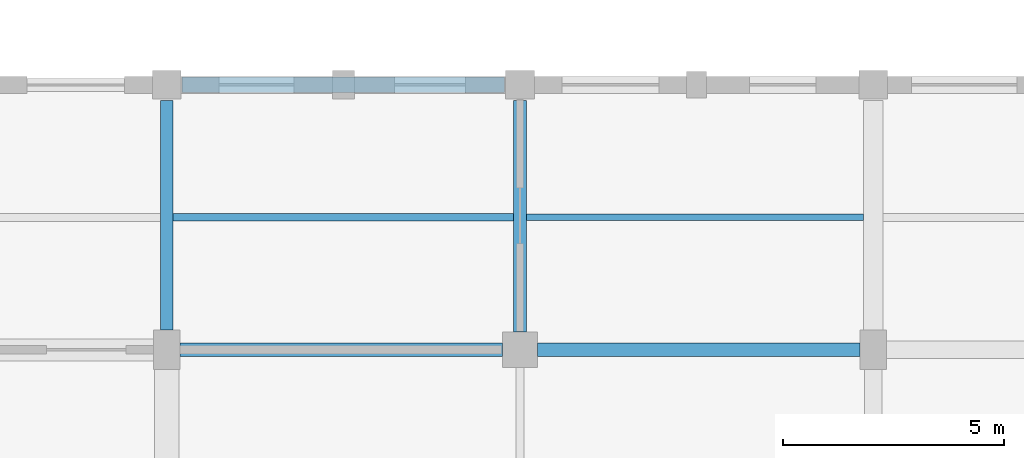
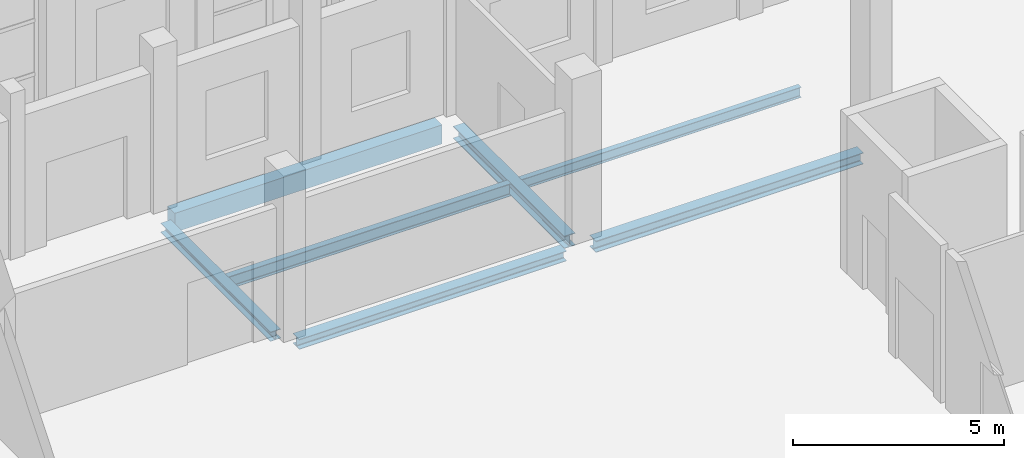
# One storey, part 91 of 156: 7 beams.
"""IFC4 building model written with IfcOpenShell, lengths in metres."""

from ifc_helpers import new_model, si_unit, direction, frame, origin, origin_2d, place, context, subcontext, project, spatial, rectangle, i_section, extrude, material, material_profile, profile_set, type_object, element, save


model = new_model("IFC4")

# Units and contexts
model_context = context("Model", 3, precision=1e-05, world=origin(), true_north=direction((0.0, 1.0)))
body_context = subcontext(model_context, "Body", "Model", "MODEL_VIEW")
ifc_project = project(units=[si_unit("LENGTHUNIT", "METRE"), si_unit("AREAUNIT", "SQUARE_METRE"), si_unit("VOLUMEUNIT", "CUBIC_METRE"), si_unit("PLANEANGLEUNIT", "RADIAN"), si_unit("MASSUNIT", "GRAM", prefix="KILO")], contexts=[model_context])

# Site, building, storey
site_placement = place(None, origin())
site = spatial("IfcSite", under=ifc_project, at=site_placement, CompositionType="ELEMENT")
building_placement = place(site_placement, origin())
building = spatial("IfcBuilding", under=site, at=building_placement, Name="Luwemba Playhouse", CompositionType="ELEMENT")
storey_placement = place(building_placement, origin())
storey = spatial("IfcBuildingStorey", under=building, at=storey_placement, Name="L00", CompositionType="ELEMENT", Elevation=0.0)

# Beams
ifc_material_1 = material(Name="Steel S355", Category="steel")
ifc_material_profile_1 = material_profile(ifc_material_1, i_section(OverallWidth=0.280029296875, OverallDepth=0.27001953125, WebThickness=0.008056640625, FlangeThickness=0.012939453125, FilletRadius=0.02392578125, at=origin_2d()))
ifc_profile_set_1 = profile_set([ifc_material_profile_1], Name="Steel S355")
beam_type_1 = type_object("IfcBeamType", Name="BM-SB02", PredefinedType="BEAM", material=ifc_profile_set_1)
beam_1_placement = place(storey_placement, frame((148.0, 84.449951171875, -0.43505859375), z_axis=(0.0, 1.0, 0.0), x_axis=(-1.0, 0.0, 0.0)))
element("IfcBeam", 1, at=beam_1_placement, inside=storey, type_object=beam_type_1, Name="L00 transverse girder 0140", PredefinedType="BEAM", context=body_context, shape_type="SweptSolid", body=[
    extrude(i_section(OverallWidth=0.280029296875, OverallDepth=0.27001953125, WebThickness=0.008056640625, FlangeThickness=0.012939453125, FilletRadius=0.02392578125, at=origin_2d()), origin(), (0.0, 0.0, 1.0), 5.199951171875),
])
ifc_material_profile_2 = material_profile(ifc_material_1, i_section(OverallWidth=0.300048828125, OverallDepth=0.2900390625, WebThickness=0.008544921875, FlangeThickness=0.013916015625, FilletRadius=0.027099609375, at=origin_2d()))
ifc_profile_set_2 = profile_set([ifc_material_profile_2], Name="Steel S355")
beam_type_2 = type_object("IfcBeamType", Name="BM-SB03", PredefinedType="BEAM", material=ifc_profile_set_2)
beam_2_placement = place(storey_placement, frame((148.300048828125, 84.0, -0.445068359375), z_axis=(1.0, 0.0, 0.0), x_axis=(0.0, 1.0, 0.0)))
element("IfcBeam", 2, at=beam_2_placement, inside=storey, type_object=beam_type_2, Name="L00 grid girder 0124", PredefinedType="BEAM", context=body_context, shape_type="SweptSolid", body=[
    extrude(i_section(OverallWidth=0.300048828125, OverallDepth=0.2900390625, WebThickness=0.008544921875, FlangeThickness=0.013916015625, FilletRadius=0.027099609375, at=origin_2d()), origin(), (0.0, 0.0, 1.0), 7.300048828125),
])
ifc_material_profile_3 = material_profile(ifc_material_1, i_section(OverallWidth=0.300048828125, OverallDepth=0.330078125, WebThickness=0.009521484375, FlangeThickness=0.0166015625, FilletRadius=0.027099609375, at=origin_2d()))
ifc_profile_set_3 = profile_set([ifc_material_profile_3], Name="Steel S355")
beam_type_3 = type_object("IfcBeamType", Name="BM-SB04", PredefinedType="BEAM", material=ifc_profile_set_3)
beam_3_placement = place(storey_placement, frame((156.39990234375, 84.0, -0.465087890625), z_axis=(1.0, 0.0, 0.0), x_axis=(0.0, 1.0, 0.0)))
element("IfcBeam", 3, at=beam_3_placement, inside=storey, type_object=beam_type_3, Name="L00 grid girder 0125", PredefinedType="BEAM", context=body_context, shape_type="SweptSolid", body=[
    extrude(i_section(OverallWidth=0.300048828125, OverallDepth=0.330078125, WebThickness=0.009521484375, FlangeThickness=0.0166015625, FilletRadius=0.027099609375, at=origin_2d()), origin(), (0.0, 0.0, 1.0), 7.300048828125),
])
ifc_material_profile_4 = material_profile(ifc_material_1, i_section(OverallWidth=0.300048828125, OverallDepth=0.360107421875, WebThickness=0.012451171875, FlangeThickness=0.0224609375, FilletRadius=0.027099609375, at=origin_2d()))
ifc_profile_set_4 = profile_set([ifc_material_profile_4], Name="Steel S355")
beam_type_4 = type_object("IfcBeamType", Name="BM-SB09", PredefinedType="BEAM", material=ifc_profile_set_4)
beam_4_placement = place(storey_placement, frame((156.0, 84.39990234375, -0.47998046875), z_axis=(0.0, 1.0, 0.0), x_axis=(-1.0, 0.0, 0.0)))
element("IfcBeam", 4, at=beam_4_placement, inside=storey, type_object=beam_type_4, Name="L00 transverse girder 0143", PredefinedType="BEAM", context=body_context, shape_type="SweptSolid", body=[
    extrude(i_section(OverallWidth=0.300048828125, OverallDepth=0.360107421875, WebThickness=0.012451171875, FlangeThickness=0.0224609375, FilletRadius=0.027099609375, at=origin_2d()), origin(), (0.0, 0.0, 1.0), 5.25),
])
ifc_material_profile_5 = material_profile(ifc_material_1, i_section(OverallWidth=0.14990234375, OverallDepth=0.300048828125, WebThickness=0.007080078125, FlangeThickness=0.0107421875, FilletRadius=0.014892578125, at=origin_2d()))
ifc_profile_set_5 = profile_set([ifc_material_profile_5], Name="Steel S355")
beam_type_5 = type_object("IfcBeamType", Name="BM-SJ05", PredefinedType="JOIST", material=ifc_profile_set_5)
beam_5_placement = place(storey_placement, frame((156.14599609375, 87.0, -0.449951171875), z_axis=(1.0, 0.0, 0.0), x_axis=(0.0, 1.0, 0.0)))
element("IfcBeam", 5, at=beam_5_placement, inside=storey, type_object=beam_type_5, Name="L00 composite floor joist 0115", PredefinedType="JOIST", context=body_context, shape_type="SweptSolid", body=[
    extrude(i_section(OverallWidth=0.14990234375, OverallDepth=0.300048828125, WebThickness=0.007080078125, FlangeThickness=0.0107421875, FilletRadius=0.014892578125, at=origin_2d()), origin(), (0.0, 0.0, 1.0), 7.633056640625),
])
ifc_material_profile_6 = material_profile(ifc_material_1, i_section(OverallWidth=0.169921875, OverallDepth=0.360107421875, WebThickness=0.008056640625, FlangeThickness=0.0126953125, FilletRadius=0.01806640625, at=origin_2d()))
ifc_profile_set_6 = profile_set([ifc_material_profile_6], Name="Steel S355")
beam_type_6 = type_object("IfcBeamType", Name="BM-SJ07", PredefinedType="JOIST", material=ifc_profile_set_6)
beam_6_placement = place(storey_placement, frame((148.135986328125, 87.0, -0.47998046875), z_axis=(1.0, 0.0, 0.0), x_axis=(0.0, 1.0, 0.0)))
element("IfcBeam", 6, at=beam_6_placement, inside=storey, type_object=beam_type_6, Name="L00 composite floor joist 0111", PredefinedType="JOIST", context=body_context, shape_type="SweptSolid", body=[
    extrude(i_section(OverallWidth=0.169921875, OverallDepth=0.360107421875, WebThickness=0.008056640625, FlangeThickness=0.0126953125, FilletRadius=0.01806640625, at=origin_2d()), origin(), (0.0, 0.0, 1.0), 7.718017578125),
])
ifc_material_2 = material(Name="Concrete C40/50", Category="concrete")
ifc_material_profile_7 = material_profile(ifc_material_2, rectangle(XDim=0.35009765625, YDim=0.550048828125, at=origin_2d()))
ifc_profile_set_7 = profile_set([ifc_material_profile_7], Name="Concrete C40/50")
beam_type_7 = type_object("IfcBeamType", Name="BM-SP2", PredefinedType="SPANDREL", material=ifc_profile_set_7)
beam_7_placement = place(storey_placement, frame((148.35009765625, 90.0, -0.574951171875), z_axis=(1.0, 0.0, 0.0), x_axis=(0.0, 1.0, 0.0)))
element("IfcBeam", 7, at=beam_7_placement, inside=storey, type_object=beam_type_7, Name="L00 grid girder 0129", PredefinedType="SPANDREL", context=body_context, shape_type="SweptSolid", body=[
    extrude(rectangle(XDim=0.35009765625, YDim=0.550048828125, at=origin_2d()), origin(), (0.0, 0.0, 1.0), 7.2998046875),
])

save(model, "model.ifc")
